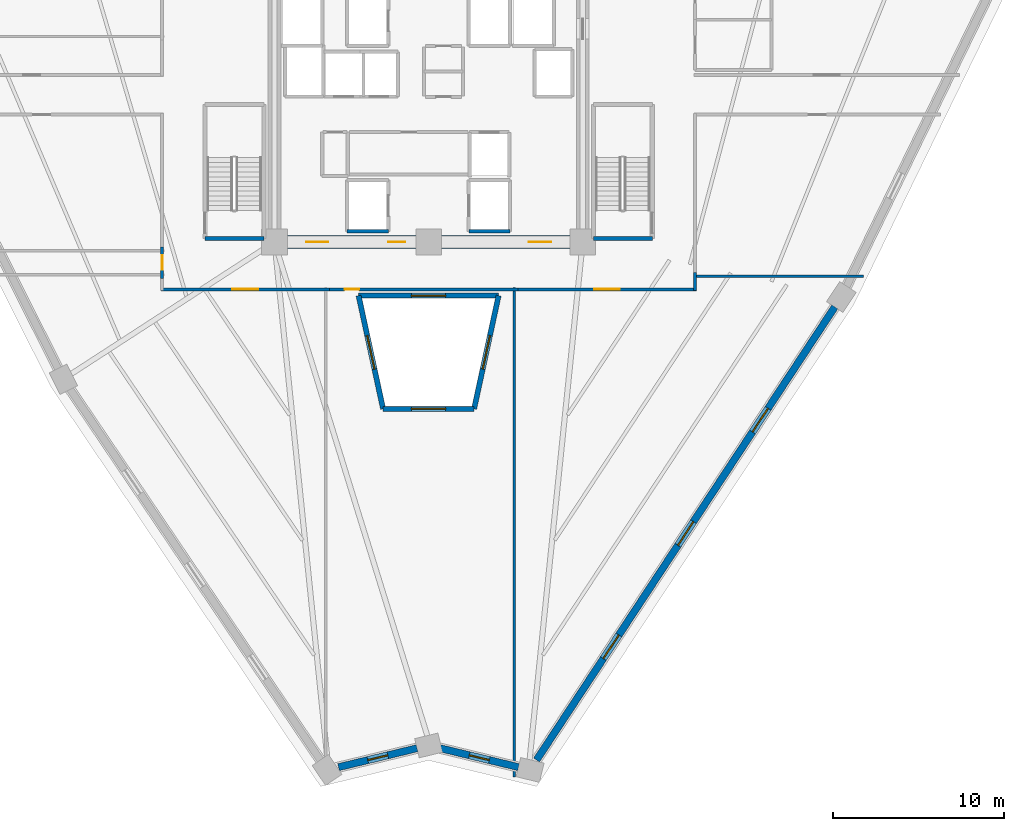
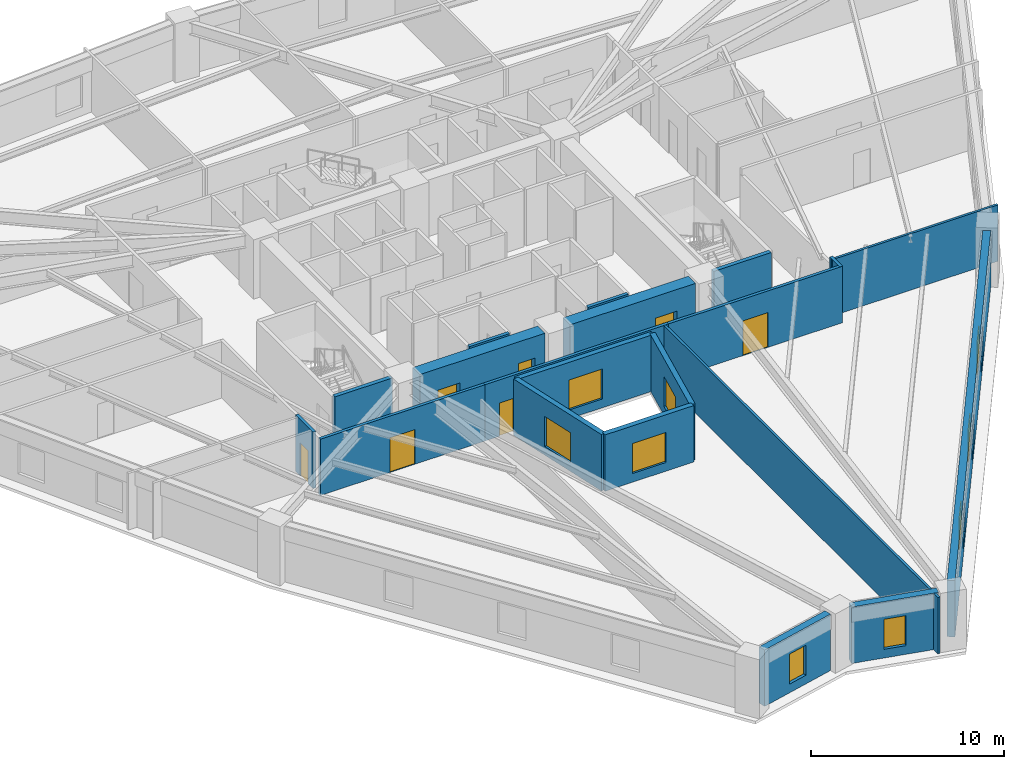
# One storey, part 3 of 9: 20 walls, 9 windows, 7 doors, 16 openings.
"""IFC4 building model written with IfcOpenShell, lengths in metres."""

from ifc_helpers import new_model, si_unit, direction, frame, frame_2d, origin, place, context, subcontext, project, spatial, rectangle, extrude, source, transform, mapped, material, layer, layer_set, type_object, element, fill, save


model = new_model("IFC4")

# Units and contexts
model_context = context("Model", 3, precision=1e-05, world=origin(), true_north=direction((0.0, 1.0)))
body_context = subcontext(model_context, "Body", "Model", "MODEL_VIEW")
ifc_project = project(units=[si_unit("LENGTHUNIT", "METRE"), si_unit("AREAUNIT", "SQUARE_METRE"), si_unit("VOLUMEUNIT", "CUBIC_METRE"), si_unit("PLANEANGLEUNIT", "RADIAN"), si_unit("MASSUNIT", "GRAM", prefix="KILO")], contexts=[model_context])

# Site, building, storey
site_placement = place(None, origin())
site = spatial("IfcSite", under=ifc_project, at=site_placement, CompositionType="ELEMENT")
building_placement = place(site_placement, origin())
building = spatial("IfcBuilding", under=site, at=building_placement, Name="Liaohun Quay Tower", CompositionType="ELEMENT")
storey_placement = place(building_placement, frame((0.0, 0.0, 132.0)))
storey = spatial("IfcBuildingStorey", under=building, at=storey_placement, Name="L34", CompositionType="ELEMENT", Elevation=132.0)

# Wall, opening, window
ifc_material_1 = material(Name="Concrete C50", Category="concrete")
ifc_layer_1 = layer(ifc_material_1, 0.300048828125, Name="Concrete C50", Category="concrete")
ifc_layer_set_1 = layer_set([ifc_layer_1], Name="Concrete C50")
wall_type_1 = type_object("IfcWallType", Name="WAL-ATR-300", PredefinedType="SOLIDWALL", material=ifc_layer_set_1)
wall_1_placement = place(storey_placement, frame((57.343017578125, 36.75390625, 0.0), z_axis=(0.0, 0.0, 1.0), x_axis=(-0.21138587267, 0.977402687144, 0.0)))
wall_1 = element("IfcWall", 1, at=wall_1_placement, inside=storey, type_object=wall_type_1, Name="L34 Atrium Fire Compartment Wall 1", PredefinedType="SOLIDWALL", context=body_context, shape_type="SweptSolid", body=[
    extrude(rectangle(XDim=6.769287109375, YDim=0.300048828125, at=frame_2d((3.384765625, 0.0))), origin(), (0.0, 0.0, 1.0), 3.570068359375),
])
shared_shape_1 = source(origin(), body_context, "Body", "SweptSolid", [
    extrude(rectangle(XDim=2.0, YDim=1.89990234375, at=frame_2d((1.0, 0.949951171875))), frame((0.0, 0.159912109375, 0.0), z_axis=(0.0, -1.0, 0.0), x_axis=(1.0, 0.0, 0.0)), (0.0, 0.0, 1.0), 0.320068359375),
])
opening_1_placement = place(wall_1_placement, frame((2.384033203125, 0.0, 0.550048828125)))
opening_1 = element("IfcOpeningElement", 2, at=opening_1_placement, cuts=wall_1, Name="Opening W07", PredefinedType="OPENING", context=body_context, shape_type="MappedRepresentation", body=[
    mapped(shared_shape_1, transform((0.0, 0.0, 0.0), x_axis=(1.0, 0.0, 0.0), y_axis=(0.0, 1.0, 0.0), z_axis=(0.0, 0.0, 1.0), scale=1.0)),
])
ifc_material_2 = material(Name="Class A 180-min fire-resistant insulated glazing", Category="glass")
window_type_1 = type_object("IfcWindowType", Name="WIN-ATR-FIR", PartitioningType="DOUBLE_PANEL_VERTICAL", PredefinedType="WINDOW", material=ifc_material_2)
shared_shape_2 = source(origin(), body_context, "Body", "SweptSolid", [
    extrude(rectangle(XDim=2.0, YDim=1.89990234375, at=frame_2d((1.0, 0.949951171875))), frame((0.0, 0.030029296875, 0.0), z_axis=(0.0, -1.0, 0.0), x_axis=(1.0, 0.0, 0.0)), (0.0, 0.0, 1.0), 0.06005859375),
])
window_1_placement = place(opening_1_placement, origin())
window_1 = element("IfcWindow", 3, at=window_1_placement, inside=storey, type_object=window_type_1, Name="L34 Atrium Fire-Resistant Glazing W07-1", OverallHeight=1.89990234375, OverallWidth=2.0, PartitioningType="DOUBLE_PANEL_VERTICAL", PredefinedType="WINDOW", context=body_context, shape_type="MappedRepresentation", body=[
    mapped(shared_shape_2, transform((0.0, 0.0, 0.0), x_axis=(1.0, 0.0, 0.0), y_axis=(0.0, 1.0, 0.0), z_axis=(0.0, 0.0, 1.0), scale=1.0)),
])
fill(opening_1, window_1)

wall_2_placement = place(storey_placement, frame((55.912109375, 43.3701171875, 0.0), z_axis=(0.0, 0.0, 1.0), x_axis=(1.0, 0.0, 0.0)))
wall_2 = element("IfcWall", 4, at=wall_2_placement, inside=storey, type_object=wall_type_1, Name="L34 Atrium Fire Compartment Wall 2", PredefinedType="SOLIDWALL", context=body_context, shape_type="SweptSolid", body=[
    extrude(rectangle(XDim=8.17578125, YDim=0.300048828125, at=frame_2d((4.087890625, 0.0))), origin(), (0.0, 0.0, 1.0), 3.570068359375),
])
opening_2_placement = place(wall_2_placement, frame((3.087890625, 0.0, 0.550048828125)))
opening_2 = element("IfcOpeningElement", 5, at=opening_2_placement, cuts=wall_2, Name="Opening W07", PredefinedType="OPENING", context=body_context, shape_type="MappedRepresentation", body=[
    mapped(shared_shape_1, transform((0.0, 0.0, 0.0), x_axis=(1.0, 0.0, 0.0), y_axis=(0.0, 1.0, 0.0), z_axis=(0.0, 0.0, 1.0), scale=1.0)),
])
window_2_placement = place(opening_2_placement, origin())
window_2 = element("IfcWindow", 6, at=window_2_placement, inside=storey, type_object=window_type_1, Name="L34 Atrium Fire-Resistant Glazing W07-2", OverallHeight=1.89990234375, OverallWidth=2.0, PartitioningType="DOUBLE_PANEL_VERTICAL", PredefinedType="WINDOW", context=body_context, shape_type="MappedRepresentation", body=[
    mapped(shared_shape_2, transform((0.0, 0.0, 0.0), x_axis=(1.0, 0.0, 0.0), y_axis=(0.0, 1.0, 0.0), z_axis=(0.0, 0.0, 1.0), scale=1.0)),
])
fill(opening_2, window_2)

wall_3_placement = place(storey_placement, frame((64.087890625, 43.3701171875, 0.0), z_axis=(0.0, 0.0, 1.0), x_axis=(-0.21138587267, -0.977402687144, 0.0)))
wall_3 = element("IfcWall", 7, at=wall_3_placement, inside=storey, type_object=wall_type_1, Name="L34 Atrium Fire Compartment Wall 3", PredefinedType="SOLIDWALL", context=body_context, shape_type="SweptSolid", body=[
    extrude(rectangle(XDim=6.769287109375, YDim=0.300048828125, at=frame_2d((3.384765625, 0.0))), origin(), (0.0, 0.0, 1.0), 3.570068359375),
])
opening_3_placement = place(wall_3_placement, frame((2.384033203125, 0.0, 0.550048828125)))
opening_3 = element("IfcOpeningElement", 8, at=opening_3_placement, cuts=wall_3, Name="Opening W07", PredefinedType="OPENING", context=body_context, shape_type="MappedRepresentation", body=[
    mapped(shared_shape_1, transform((0.0, 0.0, 0.0), x_axis=(1.0, 0.0, 0.0), y_axis=(0.0, 1.0, 0.0), z_axis=(0.0, 0.0, 1.0), scale=1.0)),
])
window_3_placement = place(opening_3_placement, origin())
window_3 = element("IfcWindow", 9, at=window_3_placement, inside=storey, type_object=window_type_1, Name="L34 Atrium Fire-Resistant Glazing W07-3", OverallHeight=1.89990234375, OverallWidth=2.0, PartitioningType="DOUBLE_PANEL_VERTICAL", PredefinedType="WINDOW", context=body_context, shape_type="MappedRepresentation", body=[
    mapped(shared_shape_2, transform((0.0, 0.0, 0.0), x_axis=(1.0, 0.0, 0.0), y_axis=(0.0, 1.0, 0.0), z_axis=(0.0, 0.0, 1.0), scale=1.0)),
])
fill(opening_3, window_3)

wall_4_placement = place(storey_placement, frame((62.656982421875, 36.75390625, 0.0), z_axis=(0.0, 0.0, 1.0), x_axis=(-1.0, 0.0, 0.0)))
wall_4 = element("IfcWall", 10, at=wall_4_placement, inside=storey, type_object=wall_type_1, Name="L34 Atrium Fire Compartment Wall 4", PredefinedType="SOLIDWALL", context=body_context, shape_type="SweptSolid", body=[
    extrude(rectangle(XDim=5.31396484375, YDim=0.300048828125, at=frame_2d((2.656982421875, 0.0))), origin(), (0.0, 0.0, 1.0), 3.570068359375),
])
opening_4_placement = place(wall_4_placement, frame((1.656982421875, 0.0, 0.550048828125)))
opening_4 = element("IfcOpeningElement", 11, at=opening_4_placement, cuts=wall_4, Name="Opening W07", PredefinedType="OPENING", context=body_context, shape_type="MappedRepresentation", body=[
    mapped(shared_shape_1, transform((0.0, 0.0, 0.0), x_axis=(1.0, 0.0, 0.0), y_axis=(0.0, 1.0, 0.0), z_axis=(0.0, 0.0, 1.0), scale=1.0)),
])
window_4_placement = place(opening_4_placement, origin())
window_4 = element("IfcWindow", 12, at=window_4_placement, inside=storey, type_object=window_type_1, Name="L34 Atrium Fire-Resistant Glazing W07-4", OverallHeight=1.89990234375, OverallWidth=2.0, PartitioningType="DOUBLE_PANEL_VERTICAL", PredefinedType="WINDOW", context=body_context, shape_type="MappedRepresentation", body=[
    mapped(shared_shape_2, transform((0.0, 0.0, 0.0), x_axis=(1.0, 0.0, 0.0), y_axis=(0.0, 1.0, 0.0), z_axis=(0.0, 0.0, 1.0), scale=1.0)),
])
fill(opening_4, window_4)

# Wall, opening, door
ifc_material_3 = material(Name="Concrete C60", Category="concrete")
ifc_layer_2 = layer(ifc_material_3, 0.75, Name="Concrete C60", Category="concrete")
ifc_layer_set_2 = layer_set([ifc_layer_2], Name="Concrete C60")
wall_type_2 = type_object("IfcWallType", Name="WAL-COR-Z2", PredefinedType="SHEAR", material=ifc_layer_set_2)
wall_5_placement = place(storey_placement, frame((68.25, 46.5, 0.0), z_axis=(0.0, 0.0, 1.0), x_axis=(-1.0, 0.0, 0.0)))
wall_5 = element("IfcWall", 13, at=wall_5_placement, inside=storey, type_object=wall_type_2, Name="L34 Central Core Shear Wall S-E", PredefinedType="SHEAR", context=body_context, shape_type="SweptSolid", body=[
    extrude(rectangle(XDim=7.5, YDim=0.75, at=frame_2d((3.75, 0.0))), origin(), (0.0, 0.0, 1.0), 3.570068359375),
])
shared_shape_3 = source(origin(), body_context, "Body", "SweptSolid", [
    extrude(rectangle(XDim=1.300048828125, YDim=2.199951171875, at=frame_2d((0.64990234375, 1.10009765625))), frame((0.0, 0.385009765625, 0.0), z_axis=(0.0, -1.0, 0.0), x_axis=(1.0, 0.0, 0.0)), (0.0, 0.0, 1.0), 0.77001953125),
])
opening_5_placement = place(wall_5_placement, frame((1.10009765625, 0.0, 0.0)))
opening_5 = element("IfcOpeningElement", 14, at=opening_5_placement, cuts=wall_5, Name="Opening FD1", PredefinedType="OPENING", context=body_context, shape_type="MappedRepresentation", body=[
    mapped(shared_shape_3, transform((0.0, 0.0, 0.0), x_axis=(1.0, 0.0, 0.0), y_axis=(0.0, 1.0, 0.0), z_axis=(0.0, 0.0, 1.0), scale=1.0)),
])
ifc_material_4 = material(Name="Galvanised steel smokeproof fire door", Category="steel")
door_type_1 = type_object("IfcDoorType", Name="DOR-FFL-1300", OperationType="NOTDEFINED", PredefinedType="DOOR", material=ifc_material_4)
shared_shape_4 = source(origin(), body_context, "Body", "SweptSolid", [
    extrude(rectangle(XDim=1.300048828125, YDim=2.199951171875, at=frame_2d((0.64990234375, 1.10009765625))), frame((0.0, 0.02490234375, 0.0), z_axis=(0.0, -1.0, 0.0), x_axis=(1.0, 0.0, 0.0)), (0.0, 0.0, 1.0), 0.050048828125),
])
door_1_placement = place(opening_5_placement, origin())
door_1 = element("IfcDoor", 15, at=door_1_placement, inside=storey, type_object=door_type_1, Name="L34 East Core Lift Lobby Smokeproof Door", OperationType="SINGLE_SWING_LEFT", OverallHeight=2.199951171875, OverallWidth=1.300048828125, PredefinedType="DOOR", context=body_context, shape_type="MappedRepresentation", body=[
    mapped(shared_shape_4, transform((0.0, 0.0, 0.0), x_axis=(1.0, 0.0, 0.0), y_axis=(0.0, 1.0, 0.0), z_axis=(0.0, 0.0, 1.0), scale=1.0)),
])
fill(opening_5, door_1)

# Wall, openings, doors
wall_6_placement = place(storey_placement, frame((59.25, 46.5, 0.0), z_axis=(0.0, 0.0, 1.0), x_axis=(-1.0, 0.0, 0.0)))
wall_6 = element("IfcWall", 16, at=wall_6_placement, inside=storey, type_object=wall_type_2, Name="L34 Central Core Shear Wall S-W", PredefinedType="SHEAR", context=body_context, shape_type="SweptSolid", body=[
    extrude(rectangle(XDim=7.5, YDim=0.75, at=frame_2d((3.75, 0.0))), origin(), (0.0, 0.0, 1.0), 3.570068359375),
])
opening_6_placement = place(wall_6_placement, frame((5.10009765625, 0.0, 0.0)))
opening_6 = element("IfcOpeningElement", 17, at=opening_6_placement, cuts=wall_6, Name="Opening FD1", PredefinedType="OPENING", context=body_context, shape_type="MappedRepresentation", body=[
    mapped(shared_shape_3, transform((0.0, 0.0, 0.0), x_axis=(1.0, 0.0, 0.0), y_axis=(0.0, 1.0, 0.0), z_axis=(0.0, 0.0, 1.0), scale=1.0)),
])
shared_shape_5 = source(origin(), body_context, "Body", "SweptSolid", [
    extrude(rectangle(XDim=1.0, YDim=2.199951171875, at=frame_2d((0.5, 1.10009765625))), frame((0.0, 0.385009765625, 0.0), z_axis=(0.0, -1.0, 0.0), x_axis=(1.0, 0.0, 0.0)), (0.0, 0.0, 1.0), 0.77001953125),
])
opening_7_placement = place(wall_6_placement, frame((0.60009765625, 0.0, 0.0)))
opening_7 = element("IfcOpeningElement", 18, at=opening_7_placement, cuts=wall_6, Name="Opening FD2", PredefinedType="OPENING", context=body_context, shape_type="MappedRepresentation", body=[
    mapped(shared_shape_5, transform((0.0, 0.0, 0.0), x_axis=(1.0, 0.0, 0.0), y_axis=(0.0, 1.0, 0.0), z_axis=(0.0, 0.0, 1.0), scale=1.0)),
])
door_2_placement = place(opening_6_placement, origin())
door_2 = element("IfcDoor", 19, at=door_2_placement, inside=storey, type_object=door_type_1, Name="L34 West Core Lift Lobby Smokeproof Door", OperationType="SINGLE_SWING_RIGHT", OverallHeight=2.199951171875, OverallWidth=1.300048828125, PredefinedType="DOOR", context=body_context, shape_type="MappedRepresentation", body=[
    mapped(shared_shape_4, transform((0.0, 0.0, 0.0), x_axis=(1.0, 0.0, 0.0), y_axis=(0.0, 1.0, 0.0), z_axis=(0.0, 0.0, 1.0), scale=1.0)),
])
fill(opening_6, door_2)
ifc_material_5 = material(Name="Galvanised steel smokeproof lobby fire door", Category="steel")
door_type_2 = type_object("IfcDoorType", Name="DOR-FFL-1000", OperationType="NOTDEFINED", PredefinedType="DOOR", material=ifc_material_5)
shared_shape_6 = source(origin(), body_context, "Body", "SweptSolid", [
    extrude(rectangle(XDim=1.0, YDim=2.199951171875, at=frame_2d((0.5, 1.10009765625))), frame((0.0, 0.02490234375, 0.0), z_axis=(0.0, -1.0, 0.0), x_axis=(1.0, 0.0, 0.0)), (0.0, 0.0, 1.0), 0.050048828125),
])
door_3_placement = place(opening_7_placement, origin())
door_3 = element("IfcDoor", 20, at=door_3_placement, inside=storey, type_object=door_type_2, Name="L34 South Firefighting Lobby Smokeproof Door", OperationType="SINGLE_SWING_LEFT", OverallHeight=2.199951171875, OverallWidth=1.0, PredefinedType="DOOR", context=body_context, shape_type="MappedRepresentation", body=[
    mapped(shared_shape_6, transform((0.0, 0.0, 0.0), x_axis=(1.0, 0.0, 0.0), y_axis=(0.0, 1.0, 0.0), z_axis=(0.0, 0.0, 1.0), scale=1.0)),
])
fill(opening_7, door_3)

# Wall, opening, window
ifc_material_6 = material(Name="Precast concrete C50 insulated sandwich", Category="concrete")
ifc_layer_3 = layer(ifc_material_6, 0.419921875, Name="Precast concrete C50 insulated sandwich", Category="concrete")
ifc_layer_set_3 = layer_set([ifc_layer_3], Name="Precast concrete C50 insulated sandwich")
wall_type_3 = type_object("IfcWallType", Name="WAL-EXT-Z12", PredefinedType="SOLIDWALL", material=ifc_layer_set_3)
wall_7_placement = place(storey_placement, frame((60.6708984375, 16.945068359375, 0.0), z_axis=(0.0, 0.0, 1.0), x_axis=(0.972084652769, -0.234630406918, 0.0)))
wall_7 = element("IfcWall", 21, at=wall_7_placement, inside=storey, type_object=wall_type_3, Name="L34 Brutalist Precast Pier Wall 01", PredefinedType="SOLIDWALL", context=body_context, shape_type="SweptSolid", body=[
    extrude(rectangle(XDim=4.713623046875, YDim=0.419921875, at=frame_2d((2.35693359375, 0.0))), origin(), (0.0, 0.0, 1.0), 3.570068359375),
])
shared_shape_7 = source(origin(), body_context, "Body", "SweptSolid", [
    extrude(rectangle(XDim=1.199951171875, YDim=1.89990234375, at=frame_2d((0.60009765625, 0.949951171875))), frame((0.0, 0.219970703125, 0.0), z_axis=(0.0, -1.0, 0.0), x_axis=(1.0, 0.0, 0.0)), (0.0, 0.0, 1.0), 0.43994140625),
])
opening_8_placement = place(wall_7_placement, frame((1.757080078125, 0.0, 0.550048828125)))
opening_8 = element("IfcOpeningElement", 22, at=opening_8_placement, cuts=wall_7, Name="Opening W05", PredefinedType="OPENING", context=body_context, shape_type="MappedRepresentation", body=[
    mapped(shared_shape_7, transform((0.0, 0.0, 0.0), x_axis=(1.0, 0.0, 0.0), y_axis=(0.0, 1.0, 0.0), z_axis=(0.0, 0.0, 1.0), scale=1.0)),
])
ifc_material_7 = material(Name="Triple Low-E corner notch glazing", Category="glass")
window_type_2 = type_object("IfcWindowType", Name="WIN-NOTCH", PartitioningType="SINGLE_PANEL", PredefinedType="WINDOW", material=ifc_material_7)
shared_shape_8 = source(origin(), body_context, "Body", "SweptSolid", [
    extrude(rectangle(XDim=1.199951171875, YDim=1.89990234375, at=frame_2d((0.60009765625, 0.949951171875))), frame((0.0, 0.030029296875, 0.0), z_axis=(0.0, -1.0, 0.0), x_axis=(1.0, 0.0, 0.0)), (0.0, 0.0, 1.0), 0.06005859375),
])
window_5_placement = place(opening_8_placement, origin())
window_5 = element("IfcWindow", 23, at=window_5_placement, inside=storey, type_object=window_type_2, Name="L34 Corner Notch Window W05-01", OverallHeight=1.89990234375, OverallWidth=1.199951171875, PartitioningType="SINGLE_PANEL", PredefinedType="WINDOW", context=body_context, shape_type="MappedRepresentation", body=[
    mapped(shared_shape_8, transform((0.0, 0.0, 0.0), x_axis=(1.0, 0.0, 0.0), y_axis=(0.0, 1.0, 0.0), z_axis=(0.0, 0.0, 1.0), scale=1.0)),
])
fill(opening_8, window_5)

# Wall, openings, windows
wall_8_placement = place(storey_placement, frame((66.302978515625, 16.2529296875, 0.0), z_axis=(0.0, 0.0, 1.0), x_axis=(0.549799789037, 0.835296469509, 0.0)))
wall_8 = element("IfcWall", 24, at=wall_8_placement, inside=storey, type_object=wall_type_3, Name="L34 Brutalist Precast Pier Wall 02", PredefinedType="SOLIDWALL", context=body_context, shape_type="SweptSolid", body=[
    extrude(rectangle(XDim=31.6787109375, YDim=0.419921875, at=frame_2d((15.83935546875, 0.0))), origin(), (0.0, 0.0, 1.0), 3.570068359375),
])
shared_shape_9 = source(origin(), body_context, "Body", "SweptSolid", [
    extrude(rectangle(XDim=1.64990234375, YDim=1.949951171875, at=frame_2d((0.824951171875, 0.97509765625))), frame((0.0, 0.219970703125, 0.0), z_axis=(0.0, -1.0, 0.0), x_axis=(1.0, 0.0, 0.0)), (0.0, 0.0, 1.0), 0.43994140625),
])
opening_9_placement = place(wall_8_placement, frame((7.094970703125, 0.0, 0.550048828125)))
opening_9 = element("IfcOpeningElement", 25, at=opening_9_placement, cuts=wall_8, Name="Opening W02", PredefinedType="OPENING", context=body_context, shape_type="MappedRepresentation", body=[
    mapped(shared_shape_9, transform((0.0, 0.0, 0.0), x_axis=(1.0, 0.0, 0.0), y_axis=(0.0, 1.0, 0.0), z_axis=(0.0, 0.0, 1.0), scale=1.0)),
])
opening_10_placement = place(wall_8_placement, frame((15.013916015625, 0.0, 0.550048828125)))
opening_10 = element("IfcOpeningElement", 26, at=opening_10_placement, cuts=wall_8, Name="Opening W02", PredefinedType="OPENING", context=body_context, shape_type="MappedRepresentation", body=[
    mapped(shared_shape_9, transform((0.0, 0.0, 0.0), x_axis=(1.0, 0.0, 0.0), y_axis=(0.0, 1.0, 0.0), z_axis=(0.0, 0.0, 1.0), scale=1.0)),
])
opening_11_placement = place(wall_8_placement, frame((22.93408203125, 0.0, 0.550048828125)))
opening_11 = element("IfcOpeningElement", 27, at=opening_11_placement, cuts=wall_8, Name="Opening W02", PredefinedType="OPENING", context=body_context, shape_type="MappedRepresentation", body=[
    mapped(shared_shape_9, transform((0.0, 0.0, 0.0), x_axis=(1.0, 0.0, 0.0), y_axis=(0.0, 1.0, 0.0), z_axis=(0.0, 0.0, 1.0), scale=1.0)),
])
ifc_material_8 = material(Name="Triple Low-E argon glazing in thermally broken aluminium", Category="aluminium")
window_type_3 = type_object("IfcWindowType", Name="WIN-PUN-Z2", PartitioningType="DOUBLE_PANEL_VERTICAL", PredefinedType="WINDOW", material=ifc_material_8)
shared_shape_10 = source(origin(), body_context, "Body", "SweptSolid", [
    extrude(rectangle(XDim=1.64990234375, YDim=1.949951171875, at=frame_2d((0.824951171875, 0.97509765625))), frame((0.0, 0.030029296875, 0.0), z_axis=(0.0, -1.0, 0.0), x_axis=(1.0, 0.0, 0.0)), (0.0, 0.0, 1.0), 0.06005859375),
])
window_6_placement = place(opening_9_placement, origin())
window_6 = element("IfcWindow", 28, at=window_6_placement, inside=storey, type_object=window_type_3, Name="L34 Recessed Cold-Climate Punched Window 02-1", OverallHeight=1.949951171875, OverallWidth=1.64990234375, PartitioningType="DOUBLE_PANEL_VERTICAL", PredefinedType="WINDOW", context=body_context, shape_type="MappedRepresentation", body=[
    mapped(shared_shape_10, transform((0.0, 0.0, 0.0), x_axis=(1.0, 0.0, 0.0), y_axis=(0.0, 1.0, 0.0), z_axis=(0.0, 0.0, 1.0), scale=1.0)),
])
fill(opening_9, window_6)
window_7_placement = place(opening_10_placement, origin())
window_7 = element("IfcWindow", 29, at=window_7_placement, inside=storey, type_object=window_type_3, Name="L34 Recessed Cold-Climate Punched Window 02-2", OverallHeight=1.949951171875, OverallWidth=1.64990234375, PartitioningType="DOUBLE_PANEL_VERTICAL", PredefinedType="WINDOW", context=body_context, shape_type="MappedRepresentation", body=[
    mapped(shared_shape_10, transform((0.0, 0.0, 0.0), x_axis=(1.0, 0.0, 0.0), y_axis=(0.0, 1.0, 0.0), z_axis=(0.0, 0.0, 1.0), scale=1.0)),
])
fill(opening_10, window_7)
window_8_placement = place(opening_11_placement, origin())
window_8 = element("IfcWindow", 30, at=window_8_placement, inside=storey, type_object=window_type_3, Name="L34 Recessed Cold-Climate Punched Window 02-3", OverallHeight=1.949951171875, OverallWidth=1.64990234375, PartitioningType="DOUBLE_PANEL_VERTICAL", PredefinedType="WINDOW", context=body_context, shape_type="MappedRepresentation", body=[
    mapped(shared_shape_10, transform((0.0, 0.0, 0.0), x_axis=(1.0, 0.0, 0.0), y_axis=(0.0, 1.0, 0.0), z_axis=(0.0, 0.0, 1.0), scale=1.0)),
])
fill(opening_11, window_8)

# Wall, opening, window
wall_9_placement = place(storey_placement, frame((54.739990234375, 15.8369140625, 0.0), z_axis=(0.0, 0.0, 1.0), x_axis=(0.972061054332, 0.234728154791, 0.0)))
wall_9 = element("IfcWall", 31, at=wall_9_placement, inside=storey, type_object=wall_type_3, Name="L34 Brutalist Precast Pier Wall 12", PredefinedType="SOLIDWALL", context=body_context, shape_type="SweptSolid", body=[
    extrude(rectangle(XDim=4.720947265625, YDim=0.419921875, at=frame_2d((2.3603515625, 0.0))), origin(), (0.0, 0.0, 1.0), 3.570068359375),
])
opening_12_placement = place(wall_9_placement, frame((1.760009765625, 0.0, 0.550048828125)))
opening_12 = element("IfcOpeningElement", 32, at=opening_12_placement, cuts=wall_9, Name="Opening W05", PredefinedType="OPENING", context=body_context, shape_type="MappedRepresentation", body=[
    mapped(shared_shape_7, transform((0.0, 0.0, 0.0), x_axis=(1.0, 0.0, 0.0), y_axis=(0.0, 1.0, 0.0), z_axis=(0.0, 0.0, 1.0), scale=1.0)),
])
window_9_placement = place(opening_12_placement, origin())
window_9 = element("IfcWindow", 33, at=window_9_placement, inside=storey, type_object=window_type_2, Name="L34 Corner Notch Window W05-12", OverallHeight=1.89990234375, OverallWidth=1.199951171875, PartitioningType="SINGLE_PANEL", PredefinedType="WINDOW", context=body_context, shape_type="MappedRepresentation", body=[
    mapped(shared_shape_8, transform((0.0, 0.0, 0.0), x_axis=(1.0, 0.0, 0.0), y_axis=(0.0, 1.0, 0.0), z_axis=(0.0, 0.0, 1.0), scale=1.0)),
])
fill(opening_12, window_9)

# Wall, opening, door
ifc_material_9 = material(Name="Autoclaved aerated concrete blockwork", Category="masonry")
ifc_layer_4 = layer(ifc_material_9, 0.179931640625, Name="Autoclaved aerated concrete blockwork", Category="masonry")
ifc_layer_set_4 = layer_set([ifc_layer_4], Name="Autoclaved aerated concrete blockwork")
wall_type_4 = type_object("IfcWallType", Name="WAL-PRT-COR", PredefinedType="PARTITIONING", material=ifc_layer_set_4)
wall_10_placement = place(storey_placement, frame((44.43994140625, 44.385009765625, 0.0), z_axis=(0.0, 0.0, 1.0), x_axis=(0.0, 1.0, 0.0)))
wall_10 = element("IfcWall", 34, at=wall_10_placement, inside=storey, type_object=wall_type_4, Name="L34 Interior Partition Wall 023", PredefinedType="PARTITIONING", context=body_context, shape_type="SweptSolid", body=[
    extrude(rectangle(XDim=1.830078125, YDim=0.179931640625, at=frame_2d((0.9150390625, 0.0))), origin(), (0.0, 0.0, 1.0), 3.570068359375),
])
shared_shape_11 = source(origin(), body_context, "Body", "SweptSolid", [
    extrude(rectangle(XDim=0.85009765625, YDim=2.10009765625, at=frame_2d((0.425048828125, 1.050048828125))), frame((0.0, 0.099853515625, 0.0), z_axis=(0.0, -1.0, 0.0), x_axis=(1.0, 0.0, 0.0)), (0.0, 0.0, 1.0), 0.199951171875),
])
opening_13_placement = place(wall_10_placement, frame((0.489990234375, 0.0, 0.0)))
opening_13 = element("IfcOpeningElement", 35, at=opening_13_placement, cuts=wall_10, Name="Opening AD1", PredefinedType="OPENING", context=body_context, shape_type="MappedRepresentation", body=[
    mapped(shared_shape_11, transform((0.0, 0.0, 0.0), x_axis=(1.0, 0.0, 0.0), y_axis=(0.0, 1.0, 0.0), z_axis=(0.0, 0.0, 1.0), scale=1.0)),
])
ifc_material_10 = material(Name="Steel riser inspection fire door", Category="steel")
door_type_3 = type_object("IfcDoorType", Name="DOR-SHF-850", OperationType="NOTDEFINED", PredefinedType="DOOR", material=ifc_material_10)
shared_shape_12 = source(origin(), body_context, "Body", "SweptSolid", [
    extrude(rectangle(XDim=0.85009765625, YDim=2.10009765625, at=frame_2d((0.425048828125, 1.050048828125))), frame((0.0, 0.02490234375, 0.0), z_axis=(0.0, -1.0, 0.0), x_axis=(1.0, 0.0, 0.0)), (0.0, 0.0, 1.0), 0.050048828125),
])
door_4_placement = place(opening_13_placement, origin())
door_4 = element("IfcDoor", 36, at=door_4_placement, inside=storey, type_object=door_type_3, Name="L34 Records Archive Store 09 Door", OperationType="SINGLE_SWING_RIGHT", OverallHeight=2.10009765625, OverallWidth=0.85009765625, PredefinedType="DOOR", context=body_context, shape_type="MappedRepresentation", body=[
    mapped(shared_shape_12, transform((0.0, 0.0, 0.0), x_axis=(1.0, 0.0, 0.0), y_axis=(0.0, 1.0, 0.0), z_axis=(0.0, 0.0, 1.0), scale=1.0)),
])
fill(opening_13, door_4)

wall_11_placement = place(storey_placement, frame((54.215087890625, 43.739990234375, 0.0), z_axis=(0.0, 0.0, 1.0), x_axis=(-1.0, 0.0, 0.0)))
wall_11 = element("IfcWall", 37, at=wall_11_placement, inside=storey, type_object=wall_type_4, Name="L34 Interior Partition Wall 024", PredefinedType="PARTITIONING", context=body_context, shape_type="SweptSolid", body=[
    extrude(rectangle(XDim=9.844970703125, YDim=0.179931640625, at=frame_2d((4.92236328125, 0.0))), origin(), (0.0, 0.0, 1.0), 3.570068359375),
])
shared_shape_13 = source(origin(), body_context, "Body", "SweptSolid", [
    extrude(rectangle(XDim=1.5, YDim=2.199951171875, at=frame_2d((0.75, 1.10009765625))), frame((0.0, 0.099853515625, 0.0), z_axis=(0.0, -1.0, 0.0), x_axis=(1.0, 0.0, 0.0)), (0.0, 0.0, 1.0), 0.199951171875),
])
opening_14_placement = place(wall_11_placement, frame((4.173095703125, 0.0, 0.0)))
opening_14 = element("IfcOpeningElement", 38, at=opening_14_placement, cuts=wall_11, Name="Opening OD2", PredefinedType="OPENING", context=body_context, shape_type="MappedRepresentation", body=[
    mapped(shared_shape_13, transform((0.0, 0.0, 0.0), x_axis=(1.0, 0.0, 0.0), y_axis=(0.0, 1.0, 0.0), z_axis=(0.0, 0.0, 1.0), scale=1.0)),
])
ifc_material_11 = material(Name="Acoustic oak veneer double door")
door_type_4 = type_object("IfcDoorType", Name="DOR-OFF-1500", OperationType="DOUBLE_DOOR_SINGLE_SWING", PredefinedType="DOOR", material=ifc_material_11)
shared_shape_14 = source(origin(), body_context, "Body", "SweptSolid", [
    extrude(rectangle(XDim=1.5, YDim=2.199951171875, at=frame_2d((0.75, 1.10009765625))), frame((0.0, 0.02490234375, 0.0), z_axis=(0.0, -1.0, 0.0), x_axis=(1.0, 0.0, 0.0)), (0.0, 0.0, 1.0), 0.050048828125),
])
door_5_placement = place(opening_14_placement, origin())
door_5 = element("IfcDoor", 39, at=door_5_placement, inside=storey, type_object=door_type_4, Name="L34 Open-Plan Office Workplace 10 Door", OperationType="DOUBLE_DOOR_SINGLE_SWING", OverallHeight=2.199951171875, OverallWidth=1.5, PredefinedType="DOOR", context=body_context, shape_type="MappedRepresentation", body=[
    mapped(shared_shape_14, transform((0.0, 0.0, 0.0), x_axis=(1.0, 0.0, 0.0), y_axis=(0.0, 1.0, 0.0), z_axis=(0.0, 0.0, 1.0), scale=1.0)),
])
fill(opening_14, door_5)

wall_12_placement = place(storey_placement, frame((65.215087890625, 43.739990234375, 0.0), z_axis=(0.0, 0.0, 1.0), x_axis=(-1.0, 0.0, 0.0)))
wall_12 = element("IfcWall", 40, at=wall_12_placement, inside=storey, type_object=wall_type_4, Name="L34 Interior Partition Wall 025", PredefinedType="PARTITIONING", context=body_context, shape_type="SweptSolid", body=[
    extrude(rectangle(XDim=11.0, YDim=0.179931640625, at=frame_2d((5.5, 0.0))), origin(), (0.0, 0.0, 1.0), 3.570068359375),
])
opening_15_placement = place(wall_12_placement, frame((9.27490234375, 0.0, 0.0)))
opening_15 = element("IfcOpeningElement", 41, at=opening_15_placement, cuts=wall_12, Name="Opening AD1", PredefinedType="OPENING", context=body_context, shape_type="MappedRepresentation", body=[
    mapped(shared_shape_11, transform((0.0, 0.0, 0.0), x_axis=(1.0, 0.0, 0.0), y_axis=(0.0, 1.0, 0.0), z_axis=(0.0, 0.0, 1.0), scale=1.0)),
])
door_6_placement = place(opening_15_placement, origin())
door_6 = element("IfcDoor", 42, at=door_6_placement, inside=storey, type_object=door_type_3, Name="L34 Executive Partner Office 11 Door", OperationType="SINGLE_SWING_RIGHT", OverallHeight=2.10009765625, OverallWidth=0.85009765625, PredefinedType="DOOR", context=body_context, shape_type="MappedRepresentation", body=[
    mapped(shared_shape_12, transform((0.0, 0.0, 0.0), x_axis=(1.0, 0.0, 0.0), y_axis=(0.0, 1.0, 0.0), z_axis=(0.0, 0.0, 1.0), scale=1.0)),
])
fill(opening_15, door_6)

wall_13_placement = place(storey_placement, frame((75.6298828125, 43.739990234375, 0.0), z_axis=(0.0, 0.0, 1.0), x_axis=(-1.0, 0.0, 0.0)))
wall_13 = element("IfcWall", 43, at=wall_13_placement, inside=storey, type_object=wall_type_4, Name="L34 Interior Partition Wall 026", PredefinedType="PARTITIONING", context=body_context, shape_type="SweptSolid", body=[
    extrude(rectangle(XDim=10.414794921875, YDim=0.179931640625, at=frame_2d((5.20751953125, 0.0))), origin(), (0.0, 0.0, 1.0), 3.570068359375),
])
opening_16_placement = place(wall_13_placement, frame((4.45703125, 0.0, 0.0)))
opening_16 = element("IfcOpeningElement", 44, at=opening_16_placement, cuts=wall_13, Name="Opening OD2", PredefinedType="OPENING", context=body_context, shape_type="MappedRepresentation", body=[
    mapped(shared_shape_13, transform((0.0, 0.0, 0.0), x_axis=(1.0, 0.0, 0.0), y_axis=(0.0, 1.0, 0.0), z_axis=(0.0, 0.0, 1.0), scale=1.0)),
])
door_7_placement = place(opening_16_placement, origin())
door_7 = element("IfcDoor", 45, at=door_7_placement, inside=storey, type_object=door_type_4, Name="L34 Client Reception Office 12 Door", OperationType="DOUBLE_DOOR_SINGLE_SWING", OverallHeight=2.199951171875, OverallWidth=1.5, PredefinedType="DOOR", context=body_context, shape_type="MappedRepresentation", body=[
    mapped(shared_shape_14, transform((0.0, 0.0, 0.0), x_axis=(1.0, 0.0, 0.0), y_axis=(0.0, 1.0, 0.0), z_axis=(0.0, 0.0, 1.0), scale=1.0)),
])
fill(opening_16, door_7)

# Walls
wall_14_placement = place(storey_placement, frame((75.56005859375, 44.715087890625, 0.0), z_axis=(0.0, 0.0, 1.0), x_axis=(0.0, -1.0, 0.0)))
element("IfcWall", 46, at=wall_14_placement, inside=storey, type_object=wall_type_4, Name="L34 Interior Partition Wall 050", PredefinedType="PARTITIONING", context=body_context, shape_type="SweptSolid", body=[
    extrude(rectangle(XDim=1.045166015625, YDim=0.179931640625, at=frame_2d((0.5224609375, 0.0))), origin(), (0.0, 0.0, 1.0), 3.570068359375),
])
ifc_material_12 = material(Name="Gypsum board on twin steel studs", Category="steel")
ifc_layer_5 = layer(ifc_material_12, 0.139892578125, Name="Gypsum board on twin steel studs", Category="steel")
ifc_layer_set_5 = layer_set([ifc_layer_5], Name="Gypsum board on twin steel studs")
wall_type_5 = type_object("IfcWallType", Name="WAL-PRT-OFF", PredefinedType="PARTITIONING", material=ifc_layer_set_5)
wall_15_placement = place(storey_placement, frame((75.4599609375, 44.5, 0.0), z_axis=(0.0, 0.0, 1.0), x_axis=(1.0, 0.0, 0.0)))
element("IfcWall", 47, at=wall_15_placement, inside=storey, type_object=wall_type_5, Name="L34 Interior Partition Wall 056", PredefinedType="PARTITIONING", context=body_context, shape_type="SweptSolid", body=[
    extrude(rectangle(XDim=9.929931640625, YDim=0.139892578125, at=frame_2d((4.96484375, 0.0))), origin(), (0.0, 0.0, 1.0), 3.570068359375),
])
wall_16_placement = place(storey_placement, frame((65.0, 43.840087890625, 0.0), z_axis=(0.0, 0.0, 1.0), x_axis=(0.0, -1.0, 0.0)))
element("IfcWall", 48, at=wall_16_placement, inside=storey, type_object=wall_type_5, Name="L34 Interior Partition Wall 062", PredefinedType="PARTITIONING", context=body_context, shape_type="SweptSolid", body=[
    extrude(rectangle(XDim=28.588134765625, YDim=0.139892578125, at=frame_2d((14.2939453125, 0.0))), origin(), (0.0, 0.0, 1.0), 3.570068359375),
])
ifc_layer_6 = layer(ifc_material_1, 0.239990234375, Name="Concrete C50", Category="concrete")
ifc_layer_set_6 = layer_set([ifc_layer_6], Name="Concrete C50")
wall_type_6 = type_object("IfcWallType", Name="WAL-SHF-200", PredefinedType="SOLIDWALL", material=ifc_layer_set_6)
for number, where, z_axis, x_axis, name in (
    (49, (46.93994140625, 46.699951171875, 0.0), (0.0, 0.0, 1.0), (1.0, 0.0, 0.0), "L34 Stairwell ST-1 Structural Core Wall S"),
    (50, (69.6201171875, 46.699951171875, 0.0), (0.0, 0.0, 1.0), (1.0, 0.0, 0.0), "L34 Stairwell ST-2 Structural Core Wall S"),
):
    element("IfcWall", number, at=place(storey_placement, frame(where, z_axis=z_axis, x_axis=x_axis)), inside=storey, type_object=wall_type_6, Name=name, PredefinedType="SOLIDWALL", context=body_context, shape_type="SweptSolid", body=[
        extrude(rectangle(XDim=3.43994140625, YDim=0.239990234375, at=frame_2d((1.719970703125, 0.0))), origin(), (0.0, 0.0, 1.0), 3.570068359375),
    ])
for number, where, z_axis, x_axis, name in (
    (51, (55.25, 47.1201171875, 0.0), (0.0, 0.0, 1.0), (1.0, 0.0, 0.0), "L34 Lift FF-01 Hoistway Wall S"),
    (52, (62.35009765625, 47.1201171875, 0.0), (0.0, 0.0, 1.0), (1.0, 0.0, 0.0), "L34 Lift FF-02 Hoistway Wall S"),
):
    element("IfcWall", number, at=place(storey_placement, frame(where, z_axis=z_axis, x_axis=x_axis)), inside=storey, type_object=wall_type_6, Name=name, PredefinedType="SOLIDWALL", context=body_context, shape_type="SweptSolid", body=[
        extrude(rectangle(XDim=2.39990234375, YDim=0.199951171875, at=frame_2d((1.199951171875, 0.0))), origin(), (0.0, 0.0, 1.0), 3.570068359375),
    ])

save(model, "model.ifc")
